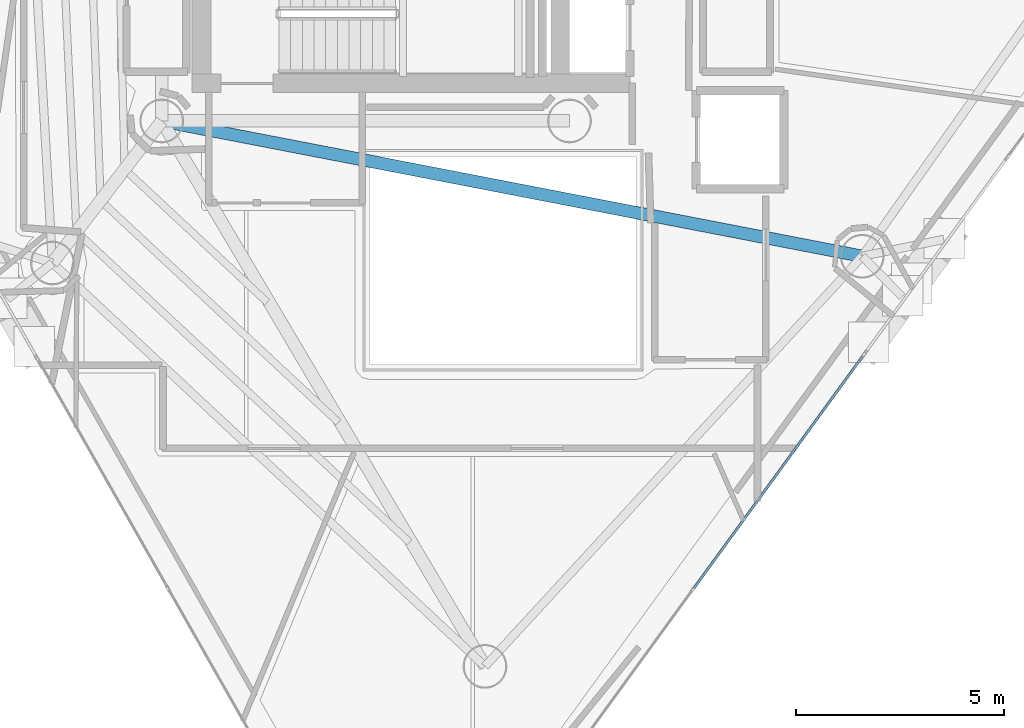
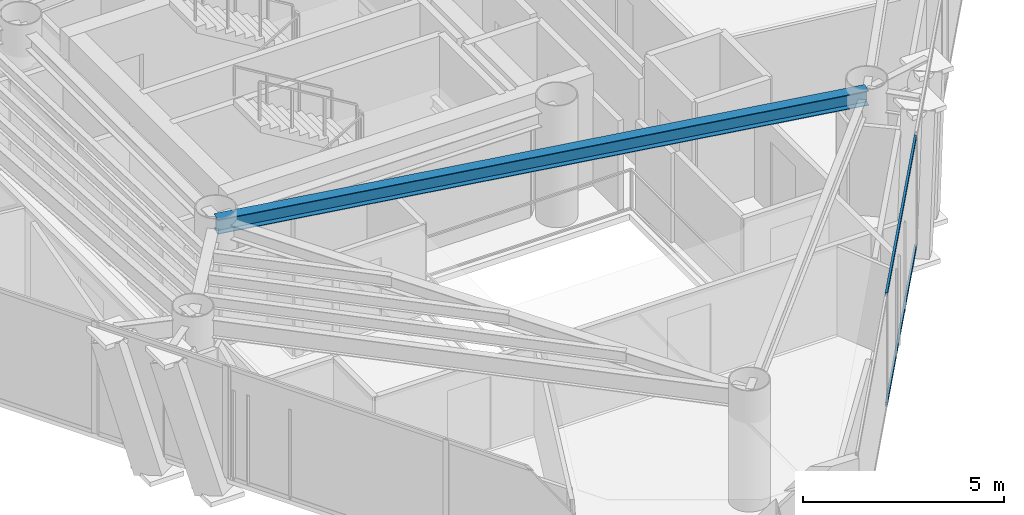
# One storey, part 5 of 21: 2 members, 1 beam, 1 element without a shape of its own.
"""IFC4 building model written with IfcOpenShell, lengths in metres."""

import ifcopenshell
import ifcopenshell.guid

model = None  # the IFC model being written
_history = None  # IfcOwnerHistory: only IFC2X3 demands one
_inside = {}  # id of a spatial element -> (the spatial element, [elements in it])
_under = {}  # id of a project, library or spatial element -> (it, [spatial elements below it])
_declared = {}  # id of a project -> (the project, [libraries it declares])
_typed = {}  # id of a type object -> (the type object, [elements of that type])
_made_of = {}  # id of a material, layer set ... -> (it, [elements and type objects made of it])


def new_model(schema):
    """Start an empty IFC model of exactly this schema.

    Asked for "IFC4X3", IfcOpenShell would pick the latest addendum, in which some entities
    have other attributes; the version numbers below select the first issue.
    IFC2X3 requires an IfcOwnerHistory on every rooted entity: one is made here for all.
    """
    global model, _history
    if schema == "IFC4X3":
        model = ifcopenshell.file(schema_version=(4, 3, 0, 0))
    else:
        model = ifcopenshell.file(schema=schema)
    _inside.clear()
    _under.clear()
    _declared.clear()
    _typed.clear()
    _made_of.clear()
    _history = None
    if model.schema == "IFC2X3":
        org = make("IfcOrganization", Name="unknown")
        user = make(
            "IfcPersonAndOrganization",
            ThePerson=make("IfcPerson", FamilyName="unknown"),
            TheOrganization=org,
        )
        app = make(
            "IfcApplication",
            ApplicationDeveloper=org,
            Version="unknown",
            ApplicationFullName="unknown",
            ApplicationIdentifier="unknown",
        )
        _history = make(
            "IfcOwnerHistory",
            OwningUser=user,
            OwningApplication=app,
            ChangeAction="ADDED",
            CreationDate=0,
        )
    return model


def make(cls, **values):
    """One entity of the class cls with the attributes given. An attribute that is None is left unset."""
    return model.create_entity(
        cls, **{name: value for name, value in values.items() if value is not None}
    )


def rooted(cls, **values):
    """An entity with a GlobalId (a new one), such as an element, a storey or a relation."""
    return make(cls, GlobalId=ifcopenshell.guid.new(), OwnerHistory=_history, **values)


def si_unit(unit_type, name, prefix=None):
    """IfcSIUnit, for example si_unit("LENGTHUNIT", "METRE", prefix="MILLI")."""
    return make("IfcSIUnit", UnitType=unit_type, Prefix=prefix, Name=name)


def assignment(units):
    """IfcUnitAssignment: the units of a project."""
    return None if units is None else make("IfcUnitAssignment", Units=units)


def point(xyz):
    """IfcCartesianPoint."""
    return None if xyz is None else make("IfcCartesianPoint", Coordinates=xyz)


def direction(xyz):
    """IfcDirection."""
    return None if xyz is None else make("IfcDirection", DirectionRatios=xyz)


def frame(location, z_axis=None, x_axis=None):
    """IfcAxis2Placement3D, a coordinate frame: its origin and axes. An axis left out is left unset."""
    return make(
        "IfcAxis2Placement3D",
        Location=point(location),
        Axis=direction(z_axis),
        RefDirection=direction(x_axis),
    )


def frame_2d(location, x_axis=None):
    """IfcAxis2Placement2D, a coordinate frame in the plane: its origin and x axis."""
    return make(
        "IfcAxis2Placement2D", Location=point(location), RefDirection=direction(x_axis)
    )


def origin():
    """The frame at (0, 0, 0) with its axes left unset."""
    return frame((0.0, 0.0, 0.0))


def origin_2d():
    """The frame at (0, 0) in the plane with its x axis left unset."""
    return frame_2d((0.0, 0.0))


def place(relative_to, where):
    """IfcLocalPlacement: puts the frame where relative to a parent placement (None: the world)."""
    return make(
        "IfcLocalPlacement", PlacementRelTo=relative_to, RelativePlacement=where
    )


def context(
    kind, dimensions, precision=None, world=None, true_north=None, identifier=None
):
    """IfcGeometricRepresentationContext, for example the 3D "Model" context."""
    return make(
        "IfcGeometricRepresentationContext",
        ContextIdentifier=identifier,
        ContextType=kind,
        CoordinateSpaceDimension=dimensions,
        Precision=precision,
        WorldCoordinateSystem=world,
        TrueNorth=true_north,
    )


def subcontext(parent, identifier, kind, view, scale=None):
    """IfcGeometricRepresentationSubContext, for example "Body" below "Model"."""
    return make(
        "IfcGeometricRepresentationSubContext",
        ContextIdentifier=identifier,
        ContextType=kind,
        ParentContext=parent,
        TargetScale=scale,
        TargetView=view,
    )


def project(units=None, contexts=None):
    """IfcProject with its units and contexts."""
    return rooted(
        "IfcProject",
        Name="project",
        RepresentationContexts=contexts,
        UnitsInContext=assignment(units),
    )


def spatial(cls, under=None, at=None, **own):
    """A site, building, storey or space (cls), placed at a placement, below another one or the project."""
    s = rooted(cls, ObjectPlacement=at, **own)
    if under is not None:
        _under.setdefault(under.id(), (under, []))[1].append(s)
    return s


def profile(cls, at=None, kind="AREA", **sizes):
    """A parametric profile (cls). Its sizes go by their IFC names, for example OverallWidth=200.0."""
    return make(cls, ProfileType=kind, Position=at, **sizes)


def hollow_rectangle(**sizes):
    """IfcRectangleHollowProfileDef."""
    return profile("IfcRectangleHollowProfileDef", **sizes)


def i_section(**sizes):
    """IfcIShapeProfileDef."""
    return profile("IfcIShapeProfileDef", **sizes)


def extrude(swept, where, along, depth):
    """IfcExtrudedAreaSolid: the profile swept, set in the frame where, extruded along a direction by depth."""
    return make(
        "IfcExtrudedAreaSolid",
        SweptArea=swept,
        Position=where,
        ExtrudedDirection=direction(along),
        Depth=depth,
    )


def shape(context_of_items, identifier, shape_type, items):
    """IfcShapeRepresentation: the items that make up one representation, for example the "Body"."""
    return make(
        "IfcShapeRepresentation",
        ContextOfItems=context_of_items,
        RepresentationIdentifier=identifier,
        RepresentationType=shape_type,
        Items=items,
    )


def material(Name=None, Category=None):
    """IfcMaterial."""
    return make("IfcMaterial", Name=Name, Category=Category)


def layer(
    of_material, thickness, ventilated=None, Name=None, Category=None, Priority=None
):
    """IfcMaterialLayer: one layer of a wall or slab, of a material (None: an air gap)."""
    return make(
        "IfcMaterialLayer",
        Material=of_material,
        LayerThickness=thickness,
        IsVentilated=ventilated,
        Name=Name,
        Category=Category,
        Priority=Priority,
    )


def layer_set(layers, Name=None):
    """IfcMaterialLayerSet."""
    return make("IfcMaterialLayerSet", MaterialLayers=layers, LayerSetName=Name)


def material_profile(
    of_material, cross_section, Name=None, Category=None, Priority=None
):
    """IfcMaterialProfile: a cross section and its material."""
    return make(
        "IfcMaterialProfile",
        Name=Name,
        Material=of_material,
        Profile=cross_section,
        Priority=Priority,
        Category=Category,
    )


def profile_set(profiles, Name=None, composite=None):
    """IfcMaterialProfileSet."""
    return make(
        "IfcMaterialProfileSet",
        Name=Name,
        MaterialProfiles=profiles,
        CompositeProfile=composite,
    )


def made_of(thing, what):
    """Note that an element or type object is made of a material, layer set ...; save() writes the relation."""
    if what is not None:
        _made_of.setdefault(what.id(), (what, []))[1].append(thing)
    return thing


def type_object(cls, material=None, **own):
    """A type object (cls), such as IfcWallType, which elements share."""
    return made_of(rooted(cls, **own), material)


def element(
    cls,
    number,
    at=None,
    inside=None,
    cuts=None,
    type_object=None,
    material=None,
    context=None,
    identifier="Body",
    shape_type=None,
    held_by="IfcProductDefinitionShape",
    body=None,
    shapes=None,
    **own,
):
    """One element of the class cls, such as IfcWall. Its Tag is "e" and its number.

    at: its placement. inside: the storey or other place that contains it. cuts: it is an
    opening in that element (IfcRelVoidsElement). A single representation is given by context,
    identifier, shape_type and body (its items); several are given by shapes. held_by: the class
    of the entity that holds the representations. save() writes the other relations.
    """
    e = rooted(cls, Tag="e%d" % number, ObjectPlacement=at, **own)
    if body is not None:
        shapes = [shape(context, identifier, shape_type, body)]
    if shapes is not None:
        e.Representation = make(held_by, Representations=shapes)
    if inside is not None:
        _inside.setdefault(inside.id(), (inside, []))[1].append(e)
    if cuts is not None:
        rooted(
            "IfcRelVoidsElement", RelatingBuildingElement=cuts, RelatedOpeningElement=e
        )
    if type_object is not None:
        _typed.setdefault(type_object.id(), (type_object, []))[1].append(e)
    return made_of(e, material)


def aggregate(whole, parts):
    """IfcRelAggregates: a whole, such as a stair, and the parts it consists of."""
    return rooted("IfcRelAggregates", RelatingObject=whole, RelatedObjects=parts)


def save(model, path):
    """Write the relations noted so far, then the file.

    IfcRelAggregates (storeys below a building ...), IfcRelContainedInSpatialStructure (elements
    in a storey), IfcRelDefinesByType, IfcRelAssociatesMaterial and IfcRelDeclares: one each for
    every whole, place, type object, material and project.
    """
    for whole, parts in _under.values():
        aggregate(whole, parts)
    for where, things in _inside.values():
        rooted(
            "IfcRelContainedInSpatialStructure",
            RelatedElements=things,
            RelatingStructure=where,
        )
    for kind, things in _typed.values():
        rooted("IfcRelDefinesByType", RelatedObjects=things, RelatingType=kind)
    for what, things in _made_of.values():
        rooted("IfcRelAssociatesMaterial", RelatedObjects=things, RelatingMaterial=what)
    for by, libraries in _declared.values():
        rooted("IfcRelDeclares", RelatingContext=by, RelatedDefinitions=libraries)
    model.write(path)


model = new_model("IFC4")

# Units and contexts
model_context = context("Model", 3, precision=1e-05, world=origin(), true_north=direction((0.0, 1.0)))
body_context = subcontext(model_context, "Body", "Model", "MODEL_VIEW")
ifc_project = project(units=[si_unit("LENGTHUNIT", "METRE"), si_unit("AREAUNIT", "SQUARE_METRE"), si_unit("VOLUMEUNIT", "CUBIC_METRE"), si_unit("PLANEANGLEUNIT", "RADIAN"), si_unit("MASSUNIT", "GRAM", prefix="KILO")], contexts=[model_context])

# Site, building, storey
site_placement = place(None, origin())
site = spatial("IfcSite", under=ifc_project, at=site_placement, CompositionType="ELEMENT")
building_placement = place(site_placement, origin())
building = spatial("IfcBuilding", under=site, at=building_placement, Name="Qianvela Tower", CompositionType="ELEMENT")
storey_placement = place(building_placement, frame((0.0, 0.0, 272.300048828125)))
storey = spatial("IfcBuildingStorey", under=building, at=storey_placement, Name="L70", CompositionType="ELEMENT", Elevation=272.300048828125)

# Beam
ifc_material_1 = material(Name="Steel Q355B", Category="steel")
ifc_material_profile_1 = material_profile(ifc_material_1, i_section(OverallWidth=0.300048828125, OverallDepth=0.43994140625, WebThickness=0.010986328125, FlangeThickness=0.01806640625, at=origin_2d()), Name="HM440x300x11x18")
ifc_profile_set_1 = profile_set([ifc_material_profile_1], Name="Steel Q355B")
beam_type = type_object("IfcBeamType", Name="BM-HM440-COLL", PredefinedType="BEAM", material=ifc_profile_set_1)
beam_placement = place(storey_placement, frame((28.60009765625, 23.85009765625, 3.177978515625), z_axis=(0.981849104236, -0.189663745904, 0.0), x_axis=(0.189663745904, 0.981849104236, 0.0)))
element("IfcBeam", 1, at=beam_placement, inside=storey, type_object=beam_type, Name="L70 Radial Primary Floor Girder 6", PredefinedType="BEAM", context=body_context, shape_type="SweptSolid", body=[
    extrude(i_section(OverallWidth=0.300048828125, OverallDepth=0.43994140625, WebThickness=0.010986328125, FlangeThickness=0.01806640625, at=origin_2d()), origin(), (0.0, 0.0, 1.0), 17.147216796875),
])

# Curtain wall, members
ifc_material_2 = material(Name="Anodised Architectural Aluminium and Low-E Glass", Category="aluminium")
ifc_layer = layer(ifc_material_2, 0.159912109375)
ifc_layer_set = layer_set([ifc_layer], Name="Anodised Architectural Aluminium and Low-E Glass")
curtain_wall_type = type_object("IfcCurtainWallType", Name="CW-COLIV-Z56", PredefinedType="USERDEFINED", material=ifc_layer_set)
curtain_wall_placement = place(storey_placement, origin())
curtain_wall = element("IfcCurtainWall", 2, at=curtain_wall_placement, inside=storey, type_object=curtain_wall_type, Name="L70 CW-COLIV-Z56 Curtain Wall 06A", ObjectType="CURTAIN_WALL_SYSTEM", PredefinedType="USERDEFINED")
ifc_material_3 = material(Name="Anodised Architectural Aluminium 6063-T6", Category="aluminium")
ifc_material_profile_2 = material_profile(ifc_material_3, hollow_rectangle(XDim=0.06005859375, YDim=0.114990234375, WallThickness=0.00390625, at=origin_2d()), Name="ALU-TRAN-60x115")
ifc_profile_set_2 = profile_set([ifc_material_profile_2], Name="Anodised Architectural Aluminium 6063-T6")
member_type = type_object("IfcMemberType", Name="CW-COLIV-Z56-TRAN", PredefinedType="USERDEFINED", material=ifc_profile_set_2)
member_1_placement = place(storey_placement, frame((41.3876953125, 12.61669921875, 0.030029296875), z_axis=(0.588441455103, 0.80853982828, 0.0), x_axis=(-0.80853982828, 0.588441455103, 0.0)))
member_1 = element("IfcMember", 3, at=member_1_placement, type_object=member_type, Name="CW-5 transom 2.1", ObjectType="TRANSOM", PredefinedType="USERDEFINED", context=body_context, shape_type="SweptSolid", body=[
    extrude(hollow_rectangle(XDim=0.06005859375, YDim=0.114990234375, WallThickness=0.00390625, at=origin_2d()), origin(), (0.0, 0.0, 1.0), 6.88720703125),
])
member_2_placement = place(storey_placement, frame((41.3876953125, 12.61669921875, 3.369873046875), z_axis=(0.588441455103, 0.80853982828, 0.0), x_axis=(-0.80853982828, 0.588441455103, 0.0)))
member_2 = element("IfcMember", 4, at=member_2_placement, type_object=member_type, Name="CW-5 transom 2.2", ObjectType="TRANSOM", PredefinedType="USERDEFINED", context=body_context, shape_type="SweptSolid", body=[
    extrude(hollow_rectangle(XDim=0.06005859375, YDim=0.114990234375, WallThickness=0.00390625, at=origin_2d()), origin(), (0.0, 0.0, 1.0), 6.88720703125),
])
aggregate(curtain_wall, [member_1, member_2])

save(model, "model.ifc")
